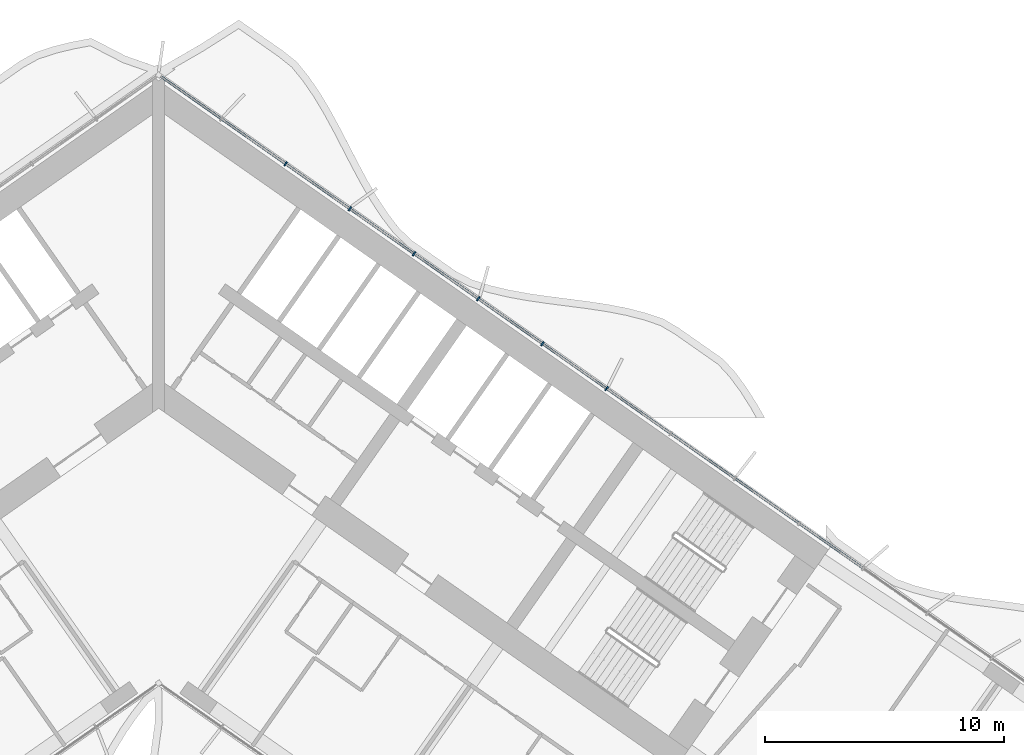
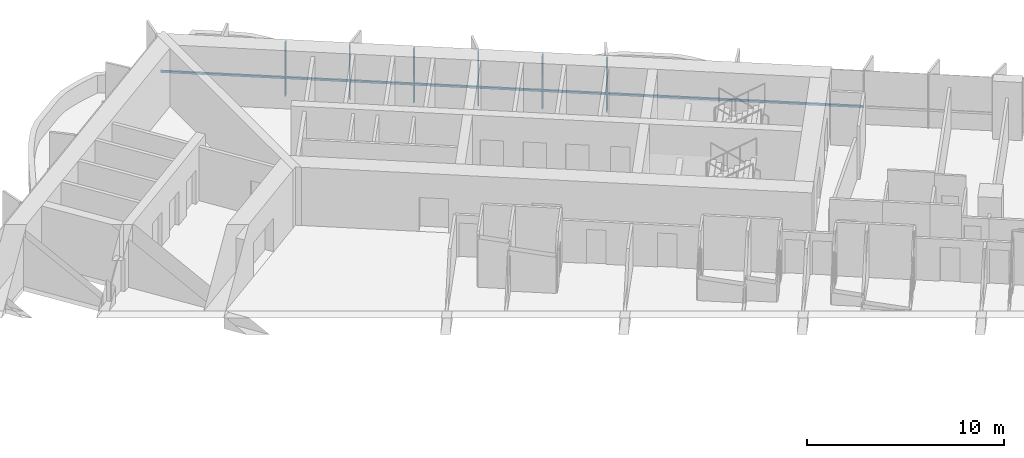
# One storey, part 8 of 25: 7 members, 1 element without a shape of its own.
"""IFC4 building model written with IfcOpenShell, lengths in metres."""

from ifc_helpers import new_model, si_unit, direction, frame, origin, origin_2d, place, context, subcontext, project, spatial, rectangle, extrude, material, material_profile, profile_set, type_object, element, aggregate, save


model = new_model("IFC4")

# Units and contexts
model_context = context("Model", 3, precision=1e-05, world=origin(), true_north=direction((0.0, 1.0)))
body_context = subcontext(model_context, "Body", "Model", "MODEL_VIEW")
ifc_project = project(units=[si_unit("LENGTHUNIT", "METRE"), si_unit("AREAUNIT", "SQUARE_METRE"), si_unit("VOLUMEUNIT", "CUBIC_METRE"), si_unit("PLANEANGLEUNIT", "RADIAN"), si_unit("MASSUNIT", "GRAM", prefix="KILO")], contexts=[model_context])

# Site, building, storey
site_placement = place(None, origin())
site = spatial("IfcSite", under=ifc_project, at=site_placement, CompositionType="ELEMENT")
building_placement = place(site_placement, origin())
building = spatial("IfcBuilding", under=site, at=building_placement, Name="Tel Ilan Convention Tower", CompositionType="ELEMENT")
storey_placement = place(building_placement, frame((0.0, 0.0, 58.10009765625)))
storey = spatial("IfcBuildingStorey", under=building, at=storey_placement, Name="L09", CompositionType="ELEMENT", Elevation=58.10009765625)

# Curtain wall, members
ifc_material_1 = material(Name="Aluminium, bronze anodised", Category="aluminium")
curtain_wall_type = type_object("IfcCurtainWallType", Name="CW2 STICK CURTAIN WALL, SPANDREL PANELS", PredefinedType="NOTDEFINED", material=ifc_material_1)
curtain_wall_placement = place(storey_placement, origin())
curtain_wall = element("IfcCurtainWall", 1, at=curtain_wall_placement, inside=storey, type_object=curtain_wall_type, Name="Curtain wall CW2-11.01", PredefinedType="NOTDEFINED")
ifc_material_2 = material(Name="Aluminium, bronze anodised", Category="aluminium")
ifc_material_profile_1 = material_profile(ifc_material_2, rectangle(XDim=0.06005859375, YDim=0.199951171875, at=origin_2d()), Name="CW MULLION 60x200")
ifc_profile_set_1 = profile_set([ifc_material_profile_1], Name="Aluminium, bronze anodised")
member_type_1 = type_object("IfcMemberType", Name="CW MULLION 60x200", PredefinedType="MULLION", material=ifc_profile_set_1)
member_1_placement = place(storey_placement, frame((18.70458984375, -0.401123046875, 0.0), z_axis=(0.0, 0.0, 1.0), x_axis=(-0.819152044289, 0.573576436351, 0.0)))
member_1 = element("IfcMember", 2, at=member_1_placement, type_object=member_type_1, Name="Mullion", PredefinedType="MULLION", context=body_context, shape_type="SweptSolid", body=[
    extrude(rectangle(XDim=0.06005859375, YDim=0.199951171875, at=origin_2d()), origin(), (0.0, 0.0, 1.0), 3.31982421875),
])
member_2_placement = place(storey_placement, frame((16.024169921875, 1.475830078125, 0.0), z_axis=(0.0, 0.0, 1.0), x_axis=(-0.819152044289, 0.573576436351, 0.0)))
member_2 = element("IfcMember", 3, at=member_2_placement, type_object=member_type_1, Name="Mullion", PredefinedType="MULLION", context=body_context, shape_type="SweptSolid", body=[
    extrude(rectangle(XDim=0.06005859375, YDim=0.199951171875, at=origin_2d()), origin(), (0.0, 0.0, 1.0), 3.31982421875),
])
member_3_placement = place(storey_placement, frame((13.343994140625, 3.3525390625, 0.0), z_axis=(0.0, 0.0, 1.0), x_axis=(-0.819152044289, 0.573576436351, 0.0)))
member_3 = element("IfcMember", 4, at=member_3_placement, type_object=member_type_1, Name="Mullion", PredefinedType="MULLION", context=body_context, shape_type="SweptSolid", body=[
    extrude(rectangle(XDim=0.06005859375, YDim=0.199951171875, at=origin_2d()), origin(), (0.0, 0.0, 1.0), 3.31982421875),
])
member_4_placement = place(storey_placement, frame((10.663818359375, 5.229248046875, 0.0), z_axis=(0.0, 0.0, 1.0), x_axis=(-0.819152044289, 0.573576436351, 0.0)))
member_4 = element("IfcMember", 5, at=member_4_placement, type_object=member_type_1, Name="Mullion", PredefinedType="MULLION", context=body_context, shape_type="SweptSolid", body=[
    extrude(rectangle(XDim=0.06005859375, YDim=0.199951171875, at=origin_2d()), origin(), (0.0, 0.0, 1.0), 3.31982421875),
])
member_5_placement = place(storey_placement, frame((7.9833984375, 7.10595703125, 0.0), z_axis=(0.0, 0.0, 1.0), x_axis=(-0.819152044289, 0.573576436351, 0.0)))
member_5 = element("IfcMember", 6, at=member_5_placement, type_object=member_type_1, Name="Mullion", PredefinedType="MULLION", context=body_context, shape_type="SweptSolid", body=[
    extrude(rectangle(XDim=0.06005859375, YDim=0.199951171875, at=origin_2d()), origin(), (0.0, 0.0, 1.0), 3.31982421875),
])
member_6_placement = place(storey_placement, frame((5.30322265625, 8.982666015625, 0.0), z_axis=(0.0, 0.0, 1.0), x_axis=(-0.819152044289, 0.573576436351, 0.0)))
member_6 = element("IfcMember", 7, at=member_6_placement, type_object=member_type_1, Name="Mullion", PredefinedType="MULLION", context=body_context, shape_type="SweptSolid", body=[
    extrude(rectangle(XDim=0.06005859375, YDim=0.199951171875, at=origin_2d()), origin(), (0.0, 0.0, 1.0), 3.31982421875),
])
ifc_material_3 = material(Name="Aluminium, bronze anodised", Category="aluminium")
ifc_material_profile_2 = material_profile(ifc_material_3, rectangle(XDim=0.10009765625, YDim=0.1201171875, at=origin_2d()), Name="CW TRANSOM 100x120")
ifc_profile_set_2 = profile_set([ifc_material_profile_2], Name="Aluminium, bronze anodised")
member_type_2 = type_object("IfcMemberType", Name="CW TRANSOM 100x120", PredefinedType="USERDEFINED", material=ifc_profile_set_2)
member_7_placement = place(storey_placement, frame((29.401123046875, -7.890869140625, 1.099853515625), z_axis=(-0.81915076999, 0.573578256234, 0.0), x_axis=(-0.573578256234, -0.81915076999, 0.0)))
member_7 = element("IfcMember", 8, at=member_7_placement, type_object=member_type_2, Name="Transom", ObjectType="TRANSOM", PredefinedType="USERDEFINED", context=body_context, shape_type="SweptSolid", body=[
    extrude(rectangle(XDim=0.10009765625, YDim=0.1201171875, at=origin_2d()), origin(), (0.0, 0.0, 1.0), 35.76220703125),
])
aggregate(curtain_wall, [member_1, member_2, member_3, member_4, member_5, member_6, member_7])

save(model, "model.ifc")
